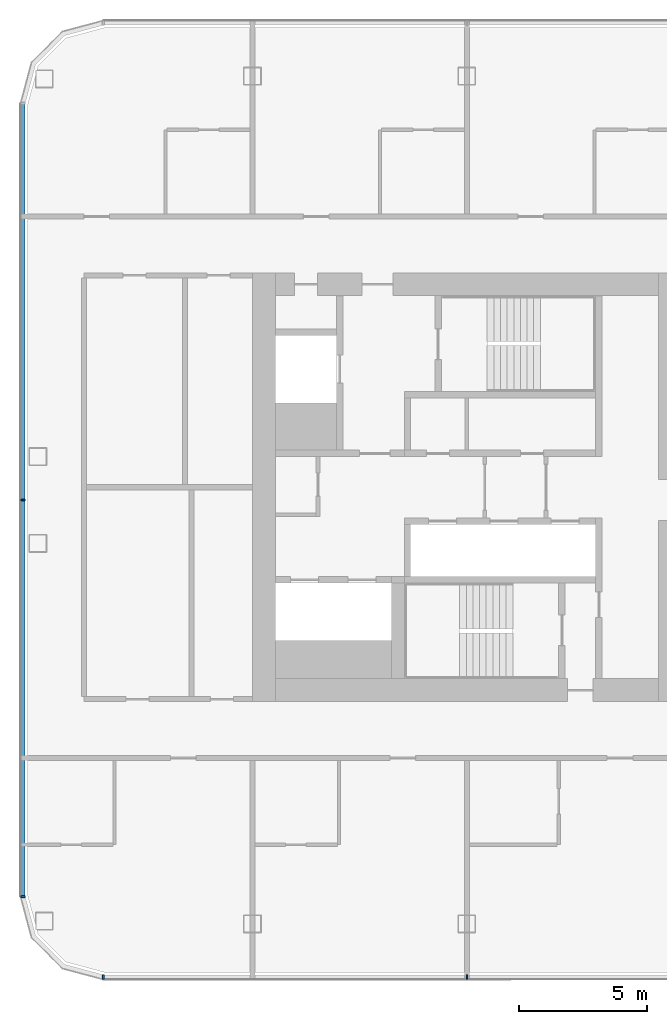
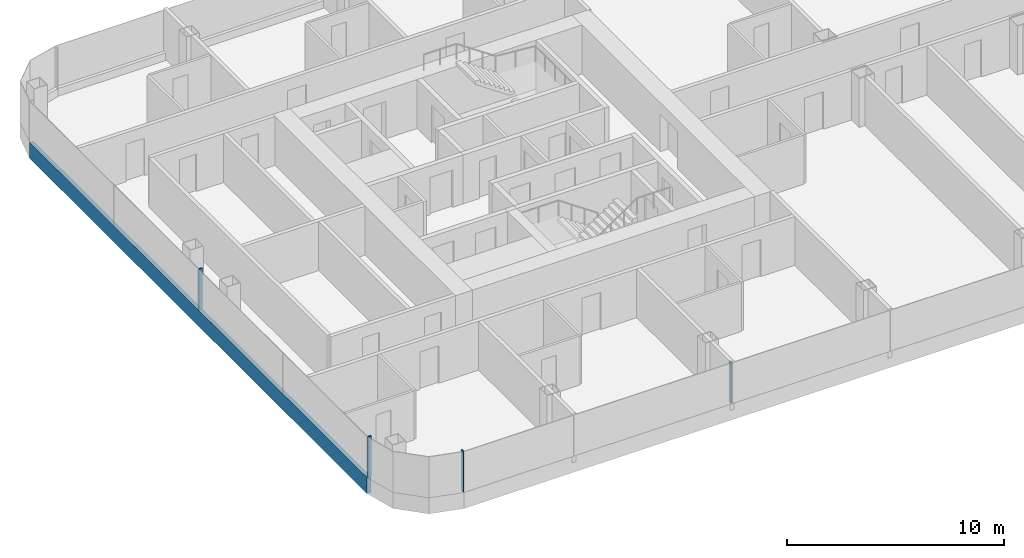
# One storey, part 2 of 25: 5 members, 2 elements without a shape of their own.
"""IFC4 building model written with IfcOpenShell, lengths in metres."""

from ifc_helpers import new_model, si_unit, direction, frame, origin, origin_2d, place, context, subcontext, project, spatial, rectangle, extrude, material, layer, layer_set, material_profile, profile_set, type_object, element, aggregate, save


model = new_model("IFC4")

# Units and contexts
model_context = context("Model", 3, precision=1e-05, world=origin(), true_north=direction((0.0, 1.0)))
body_context = subcontext(model_context, "Body", "Model", "MODEL_VIEW")
ifc_project = project(units=[si_unit("LENGTHUNIT", "METRE"), si_unit("AREAUNIT", "SQUARE_METRE"), si_unit("VOLUMEUNIT", "CUBIC_METRE"), si_unit("PLANEANGLEUNIT", "RADIAN"), si_unit("MASSUNIT", "GRAM", prefix="KILO")], contexts=[model_context])

# Site, building, storey
site_placement = place(None, origin())
site = spatial("IfcSite", under=ifc_project, at=site_placement, CompositionType="ELEMENT")
building_placement = place(site_placement, origin())
building = spatial("IfcBuilding", under=site, at=building_placement, Name="Hakoniwa Tower and Hamabe Station Hall", CompositionType="ELEMENT")
storey_placement = place(building_placement, frame((0.0, 0.0, 147.0)))
storey = spatial("IfcBuildingStorey", under=building, at=storey_placement, Name="L41", CompositionType="ELEMENT", Elevation=147.0)

# Curtain wall, members
ifc_material_1 = material(Name="Dark low-e laminated glass", Category="glass")
ifc_layer = layer(ifc_material_1, 0.199951171875)
ifc_layer_set = layer_set([ifc_layer], Name="CW-1 UNITISED GUEST")
curtain_wall_type = type_object("IfcCurtainWallType", Name="CW-1 UNITISED GUEST", PredefinedType="NOTDEFINED", material=ifc_layer_set)
curtain_wall_1_placement = place(storey_placement, origin())
curtain_wall_1 = element("IfcCurtainWall", 1, at=curtain_wall_1_placement, inside=storey, type_object=curtain_wall_type, Name="CW-1 curtain wall", PredefinedType="NOTDEFINED")
ifc_material_2 = material(Name="Aluminium 6063-T5 black anodised", Category="aluminium")
ifc_material_profile_1 = material_profile(ifc_material_2, rectangle(XDim=0.199951171875, YDim=0.89990234375, at=origin_2d()), Name="CW SLAB-EDGE BAND 900X200")
ifc_profile_set_1 = profile_set([ifc_material_profile_1], Name="Aluminium 6063-T5 black anodised")
member_type_1 = type_object("IfcMemberType", Name="CW SLAB-EDGE BAND 900X200", PredefinedType="USERDEFINED", material=ifc_profile_set_1)
member_1_placement = place(storey_placement, frame((-42.60009765625, 15.03955078125, -0.10009765625), z_axis=(0.0, -1.0, 0.0), x_axis=(1.0, 0.0, 0.0)))
member_1 = element("IfcMember", 2, at=member_1_placement, type_object=member_type_1, Name="CW-1 transom", ObjectType="TRANSOM", PredefinedType="USERDEFINED", context=body_context, shape_type="SweptSolid", body=[
    extrude(rectangle(XDim=0.199951171875, YDim=0.89990234375, at=origin_2d()), origin(), (0.0, 0.0, 1.0), 31.0791015625),
])
ifc_material_3 = material(Name="Aluminium 6063-T5 black anodised", Category="aluminium")
ifc_material_profile_2 = material_profile(ifc_material_3, rectangle(XDim=0.06005859375, YDim=0.179931640625, at=origin_2d()), Name="CW-1 MULLION 60X180")
ifc_profile_set_2 = profile_set([ifc_material_profile_2], Name="Aluminium 6063-T5 black anodised")
member_type_2 = type_object("IfcMemberType", Name="CW-1 MULLION 60X180", PredefinedType="MULLION", material=ifc_profile_set_2)
member_2_placement = place(storey_placement, frame((-42.58203125, -0.5, 0.35009765625), z_axis=(0.0, 0.0, 1.0), x_axis=(0.0, -1.0, 0.0)))
member_2 = element("IfcMember", 3, at=member_2_placement, type_object=member_type_2, Name="CW-1 mullion", PredefinedType="MULLION", context=body_context, shape_type="SweptSolid", body=[
    extrude(rectangle(XDim=0.06005859375, YDim=0.179931640625, at=origin_2d()), origin(), (0.0, 0.0, 1.0), 2.2998046875),
])
member_3_placement = place(storey_placement, frame((-42.58203125, -16.03955078125, 0.35009765625), z_axis=(0.0, 0.0, 1.0), x_axis=(0.0, -1.0, 0.0)))
member_3 = element("IfcMember", 4, at=member_3_placement, type_object=member_type_2, Name="CW-1 mullion", PredefinedType="MULLION", context=body_context, shape_type="SweptSolid", body=[
    extrude(rectangle(XDim=0.06005859375, YDim=0.179931640625, at=origin_2d()), origin(), (0.0, 0.0, 1.0), 2.2998046875),
])
aggregate(curtain_wall_1, [member_2, member_3, member_1])

curtain_wall_2_placement = place(storey_placement, origin())
curtain_wall_2 = element("IfcCurtainWall", 5, at=curtain_wall_2_placement, inside=storey, type_object=curtain_wall_type, Name="CW-1 curtain wall", PredefinedType="NOTDEFINED")
member_4_placement = place(storey_placement, frame((-39.439453125, -19.181884765625, 0.35009765625), z_axis=(0.0, 0.0, 1.0), x_axis=(1.0, 0.0, 0.0)))
member_4 = element("IfcMember", 6, at=member_4_placement, type_object=member_type_2, Name="CW-1 mullion", PredefinedType="MULLION", context=body_context, shape_type="SweptSolid", body=[
    extrude(rectangle(XDim=0.06005859375, YDim=0.179931640625, at=origin_2d()), origin(), (0.0, 0.0, 1.0), 2.2998046875),
])
member_5_placement = place(storey_placement, frame((-25.199951171875, -19.181884765625, 0.35009765625), z_axis=(0.0, 0.0, 1.0), x_axis=(1.0, 0.0, 0.0)))
member_5 = element("IfcMember", 7, at=member_5_placement, type_object=member_type_2, Name="CW-1 mullion", PredefinedType="MULLION", context=body_context, shape_type="SweptSolid", body=[
    extrude(rectangle(XDim=0.06005859375, YDim=0.179931640625, at=origin_2d()), origin(), (0.0, 0.0, 1.0), 2.2998046875),
])
aggregate(curtain_wall_2, [member_4, member_5])

save(model, "model.ifc")
